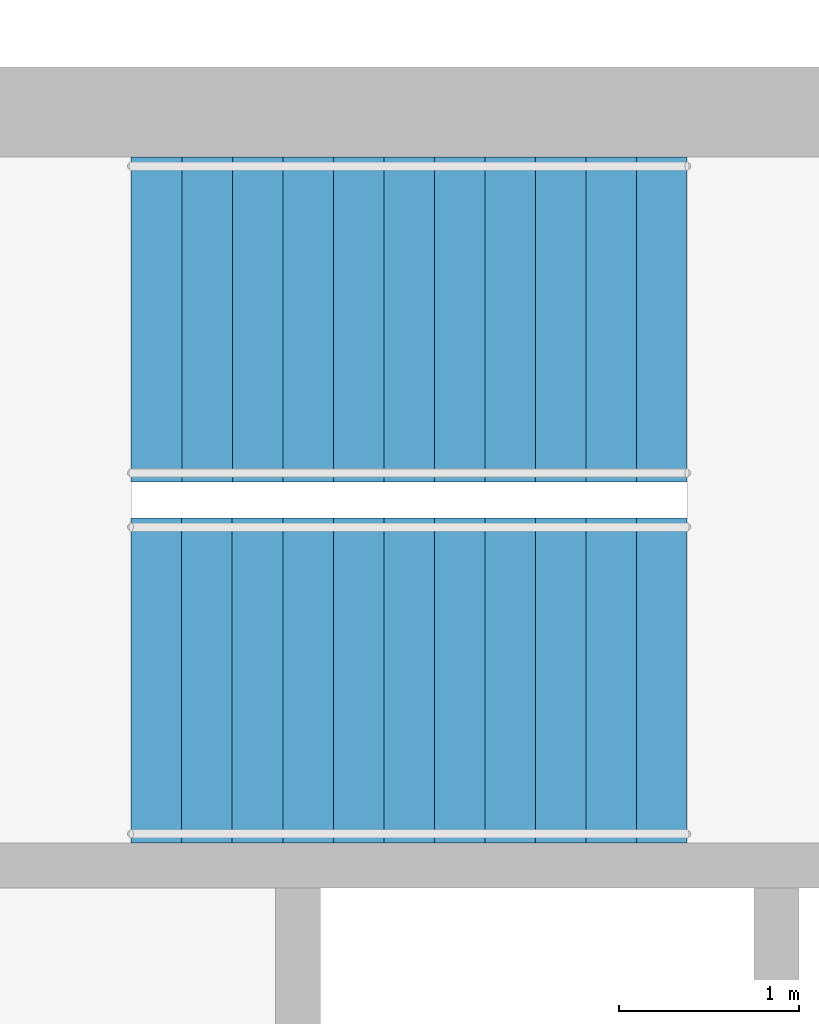
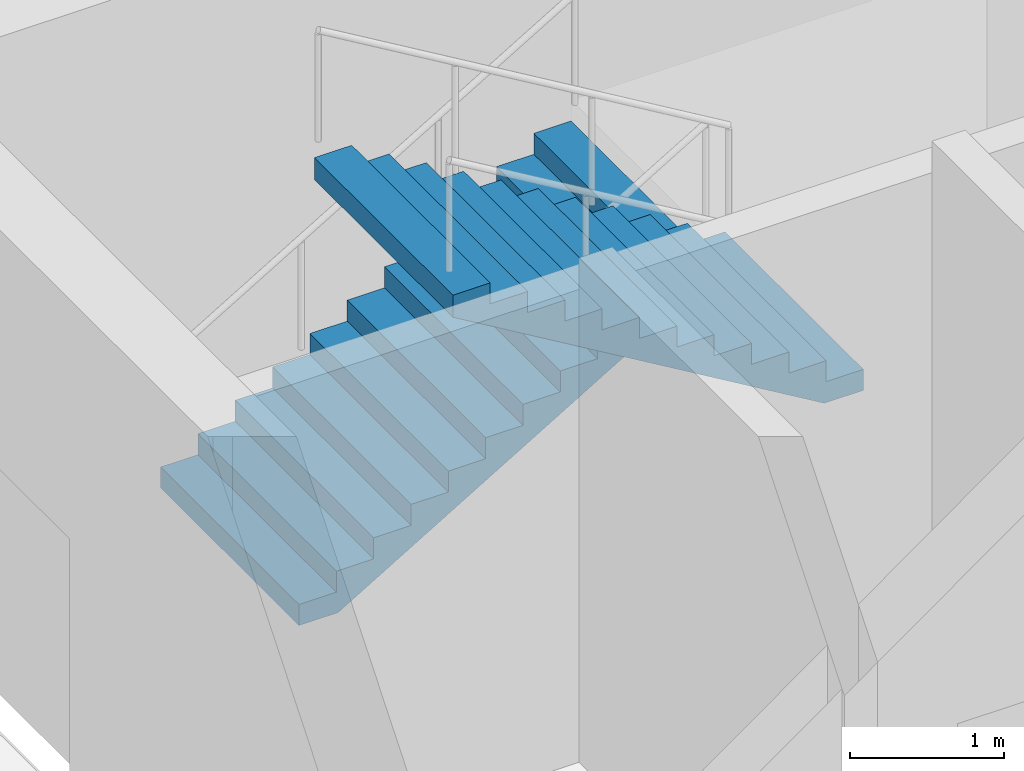
# One storey, part 8 of 11: 2 stair flights, 1 element without a shape of its own.
"""IFC4 building model written with IfcOpenShell, lengths in metres."""

from ifc_helpers import new_model, si_unit, direction, frame, origin, place, context, subcontext, project, spatial, polyline, outline, extrude, material, type_object, element, aggregate, save


model = new_model("IFC4")

# Units and contexts
model_context = context("Model", 3, precision=1e-05, world=origin(), true_north=direction((0.0, 1.0)))
body_context = subcontext(model_context, "Body", "Model", "MODEL_VIEW")
ifc_project = project(units=[si_unit("LENGTHUNIT", "METRE"), si_unit("AREAUNIT", "SQUARE_METRE"), si_unit("VOLUMEUNIT", "CUBIC_METRE"), si_unit("PLANEANGLEUNIT", "RADIAN"), si_unit("MASSUNIT", "GRAM", prefix="KILO")], contexts=[model_context])

# Site, building, storey
site_placement = place(None, origin())
site = spatial("IfcSite", under=ifc_project, at=site_placement, CompositionType="ELEMENT")
building_placement = place(site_placement, origin())
building = spatial("IfcBuilding", under=site, at=building_placement, Name="Corbel Yard City Hall", CompositionType="ELEMENT")
storey_placement = place(building_placement, frame((0.0, 0.0, 39.199951171875)))
storey = spatial("IfcBuildingStorey", under=building, at=storey_placement, Name="L09", CompositionType="ELEMENT", Elevation=39.199951171875)

# Stair, stair flights
ifc_material = material(Name="Concrete N40 (40 MPa)", Category="concrete")
stair_type = type_object("IfcStairType", Name="ST4", PredefinedType="HALF_TURN_STAIR", material=ifc_material)
stair_placement = place(storey_placement, origin())
stair = element("IfcStair", 1, at=stair_placement, inside=storey, type_object=stair_type, Name="Exit stair ST-E2 L09", PredefinedType="HALF_TURN_STAIR")
stair_flight_type = type_object("IfcStairFlightType", Name="FL4", PredefinedType="STRAIGHT", material=ifc_material)
stair_flight_1_placement = place(storey_placement, frame((47.300048828125, 115.60009765625, 0.0), z_axis=(0.0, 0.0, 1.0), x_axis=(1.0, 0.0, 0.0)))
stair_flight_1 = element("IfcStairFlight", 2, at=stair_flight_1_placement, type_object=stair_flight_type, Name="ST-E2 flight 1", NumberOfRisers=12, NumberOfTreads=11, PredefinedType="STRAIGHT", RiserHeight=0.166667, TreadLength=0.28, context=body_context, shape_type="SweptSolid", body=[
    extrude(outline(polyline([(0.0, 0.0), (0.0, 0.166748046875), (0.280029296875, 0.166748046875), (0.280029296875, 0.333251953125), (0.56005859375, 0.333251953125), (0.56005859375, 0.5), (0.840087890625, 0.5), (0.840087890625, 0.666748046875), (1.1201171875, 0.666748046875), (1.1201171875, 0.833251953125), (1.39990234375, 0.833251953125), (1.39990234375, 1.0), (1.679931640625, 1.0), (1.679931640625, 1.166748046875), (1.9599609375, 1.166748046875), (1.9599609375, 1.333251953125), (2.239990234375, 1.333251953125), (2.239990234375, 1.5), (2.52001953125, 1.5), (2.52001953125, 1.666748046875), (2.800048828125, 1.666748046875), (2.800048828125, 1.833251953125), (3.080078125, 1.833251953125), (3.080078125, 2.0), (3.080078125, 1.658935546875), (0.29296875, 0.0), (0.0, 0.0)])), frame((0.0, 0.89990234375, 0.0), z_axis=(0.0, -1.0, 0.0), x_axis=(1.0, 0.0, 0.0)), (0.0, 0.0, 1.0), 1.800048828125),
])
stair_flight_2_placement = place(storey_placement, frame((50.3798828125, 113.60009765625, 2.0), z_axis=(0.0, 0.0, 1.0), x_axis=(-1.0, 0.0, 0.0)))
stair_flight_2 = element("IfcStairFlight", 3, at=stair_flight_2_placement, type_object=stair_flight_type, Name="ST-E2 flight 2", NumberOfRisers=12, NumberOfTreads=11, PredefinedType="STRAIGHT", RiserHeight=0.166667, TreadLength=0.28, context=body_context, shape_type="SweptSolid", body=[
    extrude(outline(polyline([(0.0, 0.0), (0.0, 0.166748046875), (0.280029296875, 0.166748046875), (0.280029296875, 0.333251953125), (0.56005859375, 0.333251953125), (0.56005859375, 0.5), (0.840087890625, 0.5), (0.840087890625, 0.666748046875), (1.1201171875, 0.666748046875), (1.1201171875, 0.833251953125), (1.39990234375, 0.833251953125), (1.39990234375, 1.0), (1.679931640625, 1.0), (1.679931640625, 1.166748046875), (1.9599609375, 1.166748046875), (1.9599609375, 1.333251953125), (2.239990234375, 1.333251953125), (2.239990234375, 1.5), (2.52001953125, 1.5), (2.52001953125, 1.666748046875), (2.800048828125, 1.666748046875), (2.800048828125, 1.833251953125), (3.080078125, 1.833251953125), (3.080078125, 2.0), (3.080078125, 1.658935546875), (0.29296875, 0.0), (0.0, 0.0)])), frame((0.0, 0.89990234375, 0.0), z_axis=(0.0, -1.0, 0.0), x_axis=(1.0, 0.0, 0.0)), (0.0, 0.0, 1.0), 1.800048828125),
])
aggregate(stair, [stair_flight_1, stair_flight_2])

save(model, "model.ifc")
